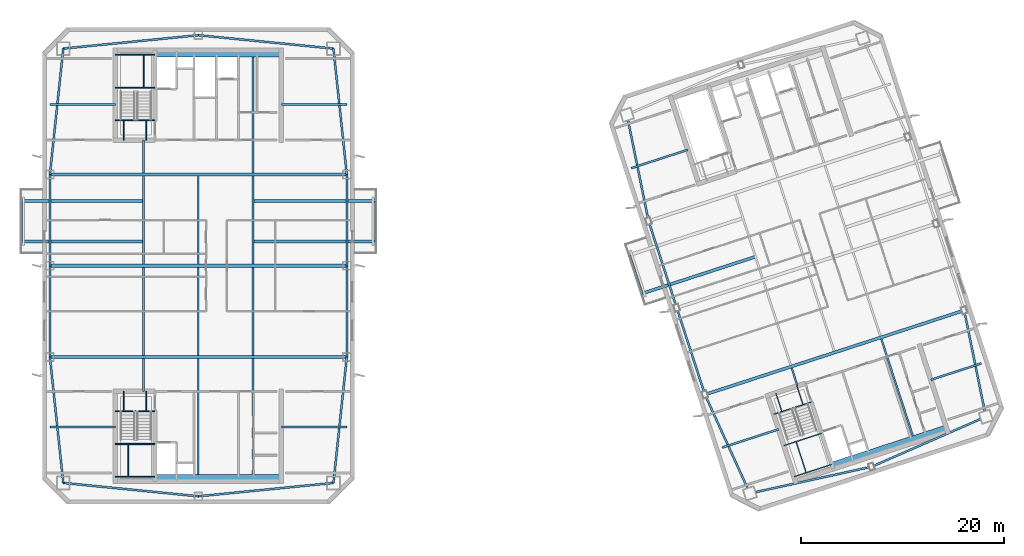
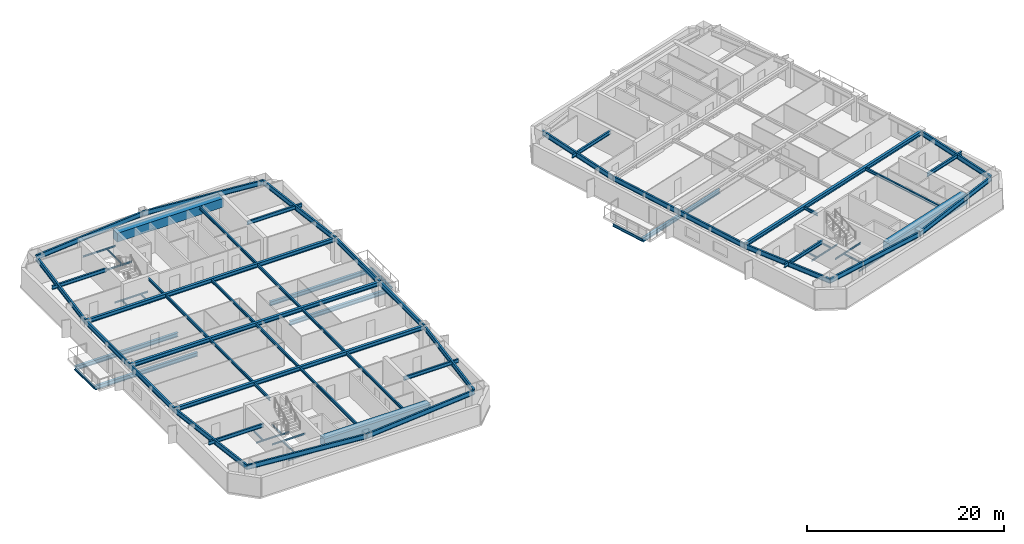
# One storey, part 3 of 17: 72 beams.
"""IFC4 building model written with IfcOpenShell, lengths in metres."""

from ifc_helpers import new_model, si_unit, direction, frame, origin, origin_2d, place, context, subcontext, project, spatial, rectangle, i_section, extrude, material, material_profile, profile_set, type_object, element, save


model = new_model("IFC4")

# Units and contexts
model_context = context("Model", 3, precision=1e-05, world=origin(), true_north=direction((0.0, 1.0)))
body_context = subcontext(model_context, "Body", "Model", "MODEL_VIEW")
ifc_project = project(units=[si_unit("LENGTHUNIT", "METRE"), si_unit("AREAUNIT", "SQUARE_METRE"), si_unit("VOLUMEUNIT", "CUBIC_METRE"), si_unit("PLANEANGLEUNIT", "RADIAN"), si_unit("MASSUNIT", "GRAM", prefix="KILO")], contexts=[model_context])

# Site, building, storey
site_placement = place(None, origin())
site = spatial("IfcSite", under=ifc_project, at=site_placement, CompositionType="ELEMENT")
building_placement = place(site_placement, origin())
building = spatial("IfcBuilding", under=site, at=building_placement, Name="Qiaolan Cultural Towers", CompositionType="ELEMENT")
storey_placement = place(building_placement, frame((0.0, 0.0, 247.199951171875)))
storey = spatial("IfcBuildingStorey", under=building, at=storey_placement, Name="L67", CompositionType="ELEMENT", Elevation=247.199951171875)

# Beams
ifc_material_1 = material(Name="Steel Q355B", Category="steel")
ifc_material_profile_1 = material_profile(ifc_material_1, i_section(OverallWidth=0.300048828125, OverallDepth=0.488037109375, WebThickness=0.010986328125, FlangeThickness=0.01806640625, at=origin_2d()), Name="HM488x300x11x18")
ifc_profile_set_1 = profile_set([ifc_material_profile_1], Name="Steel Q355B")
beam_type_1 = type_object("IfcBeamType", Name="BM-HM488x300x11x18", PredefinedType="BEAM", material=ifc_profile_set_1)
for number, where, z_axis, x_axis, name in (
    (1, (24.60009765625, 36.39990234375, -0.52392578125), (-1.0, 0.0, 0.0), (0.0, -1.0, 0.0), "L67 T1 Tree Balcony Back-Spanned Bracket Beam"),
    (2, (24.60009765625, 40.39990234375, -0.52392578125), (-1.0, 0.0, 0.0), (0.0, -1.0, 0.0), "L67 T1 Tree Balcony Back-Spanned Bracket Beam"),
    (3, (35.39990234375, 36.39990234375, -0.52392578125), (1.0, 0.0, 0.0), (0.0, 1.0, 0.0), "L67 T1 Tree Balcony Back-Spanned Bracket Beam"),
    (4, (35.39990234375, 40.39990234375, -0.52392578125), (1.0, 0.0, 0.0), (0.0, 1.0, 0.0), "L67 T1 Tree Balcony Back-Spanned Bracket Beam"),
):
    element("IfcBeam", number, at=place(storey_placement, frame(where, z_axis=z_axis, x_axis=x_axis)), inside=storey, type_object=beam_type_1, Name=name, PredefinedType="BEAM", context=body_context, shape_type="SweptSolid", body=[
        extrude(i_section(OverallWidth=0.300048828125, OverallDepth=0.488037109375, WebThickness=0.010986328125, FlangeThickness=0.01806640625, at=origin_2d()), origin(), (0.0, 0.0, 1.0), 12.050048828125),
    ])
beam_1_placement = place(storey_placement, frame((84.978515625, 34.891845703125, -0.52392578125), z_axis=(-0.951057886204, -0.309012778197, 0.0), x_axis=(0.309012778197, -0.951057886204, 0.0)))
element("IfcBeam", 5, at=beam_1_placement, inside=storey, type_object=beam_type_1, Name="L67 T2 Tree Balcony Back-Spanned Bracket Beam", PredefinedType="BEAM", context=body_context, shape_type="SweptSolid", body=[
    extrude(i_section(OverallWidth=0.300048828125, OverallDepth=0.488037109375, WebThickness=0.010986328125, FlangeThickness=0.01806640625, at=origin_2d()), origin(), (0.0, 0.0, 1.0), 11.749755859375),
])
for number, where, z_axis, x_axis, name in (
    (6, (15.35009765625, 25.0, 2.696044921875), (1.0, 0.0, 0.0), (0.0, 1.0, 0.0), "L67 T1 Primary Transverse Girder V1"),
    (7, (15.35009765625, 34.0, 2.696044921875), (1.0, 0.0, 0.0), (0.0, 1.0, 0.0), "L67 T1 Primary Transverse Girder V2"),
    (8, (15.35009765625, 43.0, 2.696044921875), (1.0, 0.0, 0.0), (0.0, 1.0, 0.0), "L67 T1 Primary Transverse Girder V3"),
):
    element("IfcBeam", number, at=place(storey_placement, frame(where, z_axis=z_axis, x_axis=x_axis)), inside=storey, type_object=beam_type_1, Name=name, PredefinedType="BEAM", context=body_context, shape_type="SweptSolid", body=[
        extrude(i_section(OverallWidth=0.300048828125, OverallDepth=0.488037109375, WebThickness=0.010986328125, FlangeThickness=0.01806640625, at=origin_2d()), origin(), (0.0, 0.0, 1.0), 29.2998046875),
    ])
beam_2_placement = place(storey_placement, frame((79.989501953125, 21.2841796875, 2.696044921875), z_axis=(0.951056543098, 0.309016911884, 0.0), x_axis=(-0.309016911884, 0.951056543098, 0.0)))
element("IfcBeam", 9, at=beam_2_placement, inside=storey, type_object=beam_type_1, Name="L67 T2 Primary Transverse Girder V1", PredefinedType="BEAM", context=body_context, shape_type="SweptSolid", body=[
    extrude(i_section(OverallWidth=0.300048828125, OverallDepth=0.488037109375, WebThickness=0.010986328125, FlangeThickness=0.01806640625, at=origin_2d()), origin(), (0.0, 0.0, 1.0), 26.89990234375),
])
ifc_material_2 = material(Name="Steel Q355B", Category="steel")
ifc_material_profile_2 = material_profile(ifc_material_2, i_section(OverallWidth=0.175048828125, OverallDepth=0.35009765625, WebThickness=0.007080078125, FlangeThickness=0.010986328125, at=origin_2d()), Name="HN350x175x7x11")
ifc_profile_set_2 = profile_set([ifc_material_profile_2], Name="Steel Q355B")
beam_type_2 = type_object("IfcBeamType", Name="BM-JST-HN350x175x7x11", PredefinedType="JOIST", material=ifc_profile_set_2)
for number, where, z_axis, x_axis, name in (
    (10, (12.550048828125, 36.39990234375, -0.52392578125), (0.0, 1.0, 0.0), (-1.0, 0.0, 0.0), "L67 T1 Tree Balcony Outer Edge Beam"),
    (11, (47.449951171875, 36.39990234375, -0.52392578125), (0.0, 1.0, 0.0), (-1.0, 0.0, 0.0), "L67 T1 Tree Balcony Outer Edge Beam"),
    (12, (73.8037109375, 31.260986328125, -0.52392578125), (-0.309022586479, 0.951054699292, 0.0), (-0.951054699292, -0.309022586479, 0.0), "L67 T2 Tree Balcony Outer Edge Beam"),
):
    element("IfcBeam", number, at=place(storey_placement, frame(where, z_axis=z_axis, x_axis=x_axis)), inside=storey, type_object=beam_type_2, Name=name, PredefinedType="JOIST", context=body_context, shape_type="SweptSolid", body=[
        extrude(i_section(OverallWidth=0.175048828125, OverallDepth=0.35009765625, WebThickness=0.007080078125, FlangeThickness=0.010986328125, at=origin_2d()), origin(), (0.0, 0.0, 1.0), 4.0),
    ])
beam_3_placement = place(storey_placement, frame((24.60009765625, 21.60009765625, 2.76513671875), z_axis=(0.0, 1.0, 0.0), x_axis=(-1.0, 0.0, 0.0)))
element("IfcBeam", 13, at=beam_3_placement, inside=storey, type_object=beam_type_2, Name="L67 T1 Secondary Floor Joist U1-1", PredefinedType="JOIST", context=body_context, shape_type="SweptSolid", body=[
    extrude(i_section(OverallWidth=0.175048828125, OverallDepth=0.35009765625, WebThickness=0.007080078125, FlangeThickness=0.010986328125, at=origin_2d()), origin(), (0.0, 0.0, 1.0), 3.25),
])
for number, where, z_axis, x_axis, name in (
    (14, (24.60009765625, 25.14990234375, 2.76513671875), (0.0, 1.0, 0.0), (-1.0, 0.0, 0.0), "L67 T1 Secondary Floor Joist U1-2"),
    (15, (24.60009765625, 34.14990234375, 2.76513671875), (0.0, 1.0, 0.0), (-1.0, 0.0, 0.0), "L67 T1 Secondary Floor Joist U1-3"),
):
    element("IfcBeam", number, at=place(storey_placement, frame(where, z_axis=z_axis, x_axis=x_axis)), inside=storey, type_object=beam_type_2, Name=name, PredefinedType="JOIST", context=body_context, shape_type="SweptSolid", body=[
        extrude(i_section(OverallWidth=0.175048828125, OverallDepth=0.35009765625, WebThickness=0.007080078125, FlangeThickness=0.010986328125, at=origin_2d()), origin(), (0.0, 0.0, 1.0), 8.7001953125),
    ])
beam_4_placement = place(storey_placement, frame((24.60009765625, 43.14990234375, 2.76513671875), z_axis=(0.0, 1.0, 0.0), x_axis=(-1.0, 0.0, 0.0)))
element("IfcBeam", 16, at=beam_4_placement, inside=storey, type_object=beam_type_2, Name="L67 T1 Secondary Floor Joist U1-4", PredefinedType="JOIST", context=body_context, shape_type="SweptSolid", body=[
    extrude(i_section(OverallWidth=0.175048828125, OverallDepth=0.35009765625, WebThickness=0.007080078125, FlangeThickness=0.010986328125, at=origin_2d()), origin(), (0.0, 0.0, 1.0), 3.25),
])
beam_5_placement = place(storey_placement, frame((30.0, 13.39990234375, 2.76513671875), z_axis=(0.0, 1.0, 0.0), x_axis=(-1.0, 0.0, 0.0)))
element("IfcBeam", 17, at=beam_5_placement, inside=storey, type_object=beam_type_2, Name="L67 T1 Secondary Floor Joist U2-1", PredefinedType="JOIST", context=body_context, shape_type="SweptSolid", body=[
    extrude(i_section(OverallWidth=0.175048828125, OverallDepth=0.35009765625, WebThickness=0.007080078125, FlangeThickness=0.010986328125, at=origin_2d()), origin(), (0.0, 0.0, 1.0), 11.4501953125),
])
for number, where, z_axis, x_axis, name in (
    (18, (30.0, 25.14990234375, 2.76513671875), (0.0, 1.0, 0.0), (-1.0, 0.0, 0.0), "L67 T1 Secondary Floor Joist U2-2"),
    (19, (30.0, 34.14990234375, 2.76513671875), (0.0, 1.0, 0.0), (-1.0, 0.0, 0.0), "L67 T1 Secondary Floor Joist U2-3"),
):
    element("IfcBeam", number, at=place(storey_placement, frame(where, z_axis=z_axis, x_axis=x_axis)), inside=storey, type_object=beam_type_2, Name=name, PredefinedType="JOIST", context=body_context, shape_type="SweptSolid", body=[
        extrude(i_section(OverallWidth=0.175048828125, OverallDepth=0.35009765625, WebThickness=0.007080078125, FlangeThickness=0.010986328125, at=origin_2d()), origin(), (0.0, 0.0, 1.0), 8.7001953125),
    ])
beam_6_placement = place(storey_placement, frame((35.39990234375, 13.39990234375, 2.76513671875), z_axis=(0.0, 1.0, 0.0), x_axis=(-1.0, 0.0, 0.0)))
element("IfcBeam", 20, at=beam_6_placement, inside=storey, type_object=beam_type_2, Name="L67 T1 Secondary Floor Joist U3-1", PredefinedType="JOIST", context=body_context, shape_type="SweptSolid", body=[
    extrude(i_section(OverallWidth=0.175048828125, OverallDepth=0.35009765625, WebThickness=0.007080078125, FlangeThickness=0.010986328125, at=origin_2d()), origin(), (0.0, 0.0, 1.0), 11.4501953125),
])
for number, where, z_axis, x_axis, name in (
    (21, (35.39990234375, 25.14990234375, 2.76513671875), (0.0, 1.0, 0.0), (-1.0, 0.0, 0.0), "L67 T1 Secondary Floor Joist U3-2"),
    (22, (35.39990234375, 34.14990234375, 2.76513671875), (0.0, 1.0, 0.0), (-1.0, 0.0, 0.0), "L67 T1 Secondary Floor Joist U3-3"),
):
    element("IfcBeam", number, at=place(storey_placement, frame(where, z_axis=z_axis, x_axis=x_axis)), inside=storey, type_object=beam_type_2, Name=name, PredefinedType="JOIST", context=body_context, shape_type="SweptSolid", body=[
        extrude(i_section(OverallWidth=0.175048828125, OverallDepth=0.35009765625, WebThickness=0.007080078125, FlangeThickness=0.010986328125, at=origin_2d()), origin(), (0.0, 0.0, 1.0), 8.7001953125),
    ])
beam_7_placement = place(storey_placement, frame((35.39990234375, 43.14990234375, 2.76513671875), z_axis=(0.0, 1.0, 0.0), x_axis=(-1.0, 0.0, 0.0)))
element("IfcBeam", 23, at=beam_7_placement, inside=storey, type_object=beam_type_2, Name="L67 T1 Secondary Floor Joist U3-4", PredefinedType="JOIST", context=body_context, shape_type="SweptSolid", body=[
    extrude(i_section(OverallWidth=0.175048828125, OverallDepth=0.35009765625, WebThickness=0.007080078125, FlangeThickness=0.010986328125, at=origin_2d()), origin(), (0.0, 0.0, 1.0), 11.4501953125),
])
beam_8_placement = place(storey_placement, frame((89.119384765625, 22.147705078125, 2.76513671875), z_axis=(-0.308933885266, 0.951083516067, 0.0), x_axis=(-0.951083516067, -0.308933885266, 0.0)))
element("IfcBeam", 24, at=beam_8_placement, inside=storey, type_object=beam_type_2, Name="L67 T2 Secondary Floor Joist U1-1", PredefinedType="JOIST", context=body_context, shape_type="SweptSolid", body=[
    extrude(i_section(OverallWidth=0.175048828125, OverallDepth=0.35009765625, WebThickness=0.007080078125, FlangeThickness=0.010986328125, at=origin_2d()), origin(), (0.0, 0.0, 1.0), 1.85009765625),
])
beam_9_placement = place(storey_placement, frame((100.498291015625, 17.222900390625, 2.76513671875), z_axis=(-0.309025649293, 0.951053704098, 0.0), x_axis=(-0.951053704098, -0.309025649293, 0.0)))
element("IfcBeam", 25, at=beam_9_placement, inside=storey, type_object=beam_type_2, Name="L67 T2 Secondary Floor Joist U3-1", PredefinedType="JOIST", context=body_context, shape_type="SweptSolid", body=[
    extrude(i_section(OverallWidth=0.175048828125, OverallDepth=0.35009765625, WebThickness=0.007080078125, FlangeThickness=0.010986328125, at=origin_2d()), origin(), (0.0, 0.0, 1.0), 10.050048828125),
])
ifc_material_3 = material(Name="Steel Q355B", Category="steel")
ifc_material_profile_3 = material_profile(ifc_material_3, i_section(OverallWidth=0.199951171875, OverallDepth=0.449951171875, WebThickness=0.009033203125, FlangeThickness=0.013916015625, at=origin_2d()), Name="HN450x200x9x14")
ifc_profile_set_3 = profile_set([ifc_material_profile_3], Name="Steel Q355B")
beam_type_3 = type_object("IfcBeamType", Name="BM-LNT-HN450x200x9x14", PredefinedType="LINTEL", material=ifc_profile_set_3)
for number, where, z_axis, x_axis, name in (
    (26, (21.800048828125, 18.10009765625, 2.715087890625), (-1.0, 0.0, 0.0), (0.0, -1.0, 0.0), "L67 T1 Core Flank Tie Lintel WS"),
    (27, (21.800048828125, 49.89990234375, 2.715087890625), (-1.0, 0.0, 0.0), (0.0, -1.0, 0.0), "L67 T1 Core Flank Tie Lintel WN"),
    (28, (38.199951171875, 18.10009765625, 2.715087890625), (1.0, 0.0, 0.0), (0.0, 1.0, 0.0), "L67 T1 Core Flank Tie Lintel ES"),
    (29, (38.199951171875, 49.89990234375, 2.715087890625), (1.0, 0.0, 0.0), (0.0, 1.0, 0.0), "L67 T1 Core Flank Tie Lintel EN"),
):
    element("IfcBeam", number, at=place(storey_placement, frame(where, z_axis=z_axis, x_axis=x_axis)), inside=storey, type_object=beam_type_3, Name=name, PredefinedType="LINTEL", context=body_context, shape_type="SweptSolid", body=[
        extrude(i_section(OverallWidth=0.199951171875, OverallDepth=0.449951171875, WebThickness=0.009033203125, FlangeThickness=0.013916015625, at=origin_2d()), origin(), (0.0, 0.0, 1.0), 6.449951171875),
    ])
for number, where, z_axis, x_axis, name in (
    (30, (87.252685546875, 17.861083984375, 2.715087890625), (-0.951063813276, -0.308994535675, 0.0), (0.308994535675, -0.951063813276, 0.0), "L67 T2 Core Flank Tie Lintel WS"),
    (31, (78.291259765625, 45.44189453125, 2.715087890625), (-0.951051548326, -0.309032283793, 0.0), (0.309032283793, -0.951051548326, 0.0), "L67 T2 Core Flank Tie Lintel WN"),
):
    element("IfcBeam", number, at=place(storey_placement, frame(where, z_axis=z_axis, x_axis=x_axis)), inside=storey, type_object=beam_type_3, Name=name, PredefinedType="LINTEL", context=body_context, shape_type="SweptSolid", body=[
        extrude(i_section(OverallWidth=0.199951171875, OverallDepth=0.449951171875, WebThickness=0.009033203125, FlangeThickness=0.013916015625, at=origin_2d()), origin(), (0.0, 0.0, 1.0), 5.85009765625),
    ])
beam_10_placement = place(storey_placement, frame((102.279296875, 22.74365234375, 2.715087890625), z_axis=(0.951060037126, 0.309006158161, 0.0), x_axis=(-0.309006158161, 0.951060037126, 0.0)))
element("IfcBeam", 32, at=beam_10_placement, inside=storey, type_object=beam_type_3, Name="L67 T2 Core Flank Tie Lintel ES", PredefinedType="LINTEL", context=body_context, shape_type="SweptSolid", body=[
    extrude(i_section(OverallWidth=0.199951171875, OverallDepth=0.449951171875, WebThickness=0.009033203125, FlangeThickness=0.013916015625, at=origin_2d()), origin(), (0.0, 0.0, 1.0), 5.25),
])
ifc_material_4 = material(Name="Concrete C50", Category="concrete")
ifc_material_profile_4 = material_profile(ifc_material_4, rectangle(XDim=0.89990234375, YDim=1.10009765625, at=origin_2d()), Name="RC900x1100")
ifc_profile_set_4 = profile_set([ifc_material_profile_4], Name="Concrete C50")
beam_type_4 = type_object("IfcBeamType", Name="BM-RC900x1100", PredefinedType="BEAM", material=ifc_profile_set_4)
for number, where, z_axis, x_axis, name in (
    (33, (25.719970703125, 12.949951171875, 2.39013671875), (1.0, 0.0, 0.0), (0.0, 1.0, 0.0), "L67 T1 Core Header Girder S"),
    (34, (25.719970703125, 55.050048828125, 2.39013671875), (1.0, 0.0, 0.0), (0.0, 1.0, 0.0), "L67 T1 Core Header Girder N"),
):
    element("IfcBeam", number, at=place(storey_placement, frame(where, z_axis=z_axis, x_axis=x_axis)), inside=storey, type_object=beam_type_4, Name=name, PredefinedType="BEAM", context=body_context, shape_type="SweptSolid", body=[
        extrude(rectangle(XDim=0.89990234375, YDim=1.10009765625, at=origin_2d()), origin(), (0.0, 0.0, 1.0), 12.47998046875),
    ])
beam_11_placement = place(storey_placement, frame((92.572265625, 14.174560546875, 2.39013671875), z_axis=(0.951056266386, 0.309017763514, 0.0), x_axis=(-0.309017763514, 0.951056266386, 0.0)))
element("IfcBeam", 35, at=beam_11_placement, inside=storey, type_object=beam_type_4, Name="L67 T2 Core Header Girder S", PredefinedType="BEAM", context=body_context, shape_type="SweptSolid", body=[
    extrude(rectangle(XDim=0.89990234375, YDim=1.10009765625, at=origin_2d()), origin(), (0.0, 0.0, 1.0), 11.880126953125),
])
ifc_material_5 = material(Name="Steel Q355B", Category="steel")
ifc_material_profile_5 = material_profile(ifc_material_5, i_section(OverallWidth=0.199951171875, OverallDepth=0.60009765625, WebThickness=0.010986328125, FlangeThickness=0.01708984375, at=origin_2d()), Name="HN600x200x11x17")
ifc_profile_set_5 = profile_set([ifc_material_profile_5], Name="Steel Q355B")
beam_type_5 = type_object("IfcBeamType", Name="BM-SPD-HN600x200x11x17", PredefinedType="SPANDREL", material=ifc_profile_set_5)
for number, where, z_axis, x_axis, name in (
    (36, (16.669921875, 12.570068359375, 2.64013671875), (0.995132371263, -0.098547266143, 0.0), (0.098547266143, 0.995132371263, 0.0), "L67 T1 Perimeter Spandrel Beam 1"),
    (37, (30.0, 11.25, 2.64013671875), (0.995132371263, 0.098547266143, 0.0), (-0.098547266143, 0.995132371263, 0.0), "L67 T1 Perimeter Spandrel Beam 2"),
):
    element("IfcBeam", number, at=place(storey_placement, frame(where, z_axis=z_axis, x_axis=x_axis)), inside=storey, type_object=beam_type_5, Name=name, PredefinedType="SPANDREL", context=body_context, shape_type="SweptSolid", body=[
        extrude(i_section(OverallWidth=0.199951171875, OverallDepth=0.60009765625, WebThickness=0.010986328125, FlangeThickness=0.01708984375, at=origin_2d()), origin(), (0.0, 0.0, 1.0), 13.395263671875),
    ])
beam_12_placement = place(storey_placement, frame((43.330078125, 12.570068359375, 2.64013671875), z_axis=(0.105587580773, 0.994410007384, 0.0), x_axis=(-0.994410007384, 0.105587580773, 0.0)))
element("IfcBeam", 38, at=beam_12_placement, inside=storey, type_object=beam_type_5, Name="L67 T1 Perimeter Spandrel Beam 3", PredefinedType="SPANDREL", context=body_context, shape_type="SweptSolid", body=[
    extrude(i_section(OverallWidth=0.199951171875, OverallDepth=0.60009765625, WebThickness=0.010986328125, FlangeThickness=0.01708984375, at=origin_2d()), origin(), (0.0, 0.0, 1.0), 12.499755859375),
])
for number, where, z_axis, x_axis, name in (
    (39, (44.64990234375, 25.0, 2.64013671875), (0.0, 1.0, 0.0), (-1.0, 0.0, 0.0), "L67 T1 Perimeter Spandrel Beam 4"),
    (40, (44.64990234375, 34.0, 2.64013671875), (0.0, 1.0, 0.0), (-1.0, 0.0, 0.0), "L67 T1 Perimeter Spandrel Beam 5"),
):
    element("IfcBeam", number, at=place(storey_placement, frame(where, z_axis=z_axis, x_axis=x_axis)), inside=storey, type_object=beam_type_5, Name=name, PredefinedType="SPANDREL", context=body_context, shape_type="SweptSolid", body=[
        extrude(i_section(OverallWidth=0.199951171875, OverallDepth=0.60009765625, WebThickness=0.010986328125, FlangeThickness=0.01708984375, at=origin_2d()), origin(), (0.0, 0.0, 1.0), 9.0),
    ])
beam_13_placement = place(storey_placement, frame((44.64990234375, 43.0, 2.64013671875), z_axis=(-0.105587580773, 0.994410007384, 0.0), x_axis=(-0.994410007384, -0.105587580773, 0.0)))
element("IfcBeam", 41, at=beam_13_placement, inside=storey, type_object=beam_type_5, Name="L67 T1 Perimeter Spandrel Beam 6", PredefinedType="SPANDREL", context=body_context, shape_type="SweptSolid", body=[
    extrude(i_section(OverallWidth=0.199951171875, OverallDepth=0.60009765625, WebThickness=0.010986328125, FlangeThickness=0.01708984375, at=origin_2d()), origin(), (0.0, 0.0, 1.0), 12.499755859375),
])
for number, where, z_axis, x_axis, name in (
    (42, (43.330078125, 55.429931640625, 2.64013671875), (-0.995132371263, 0.098547266143, 0.0), (-0.098547266143, -0.995132371263, 0.0), "L67 T1 Perimeter Spandrel Beam 7"),
    (43, (30.0, 56.75, 2.64013671875), (-0.995132371263, -0.098547266143, 0.0), (0.098547266143, -0.995132371263, 0.0), "L67 T1 Perimeter Spandrel Beam 8"),
):
    element("IfcBeam", number, at=place(storey_placement, frame(where, z_axis=z_axis, x_axis=x_axis)), inside=storey, type_object=beam_type_5, Name=name, PredefinedType="SPANDREL", context=body_context, shape_type="SweptSolid", body=[
        extrude(i_section(OverallWidth=0.199951171875, OverallDepth=0.60009765625, WebThickness=0.010986328125, FlangeThickness=0.01708984375, at=origin_2d()), origin(), (0.0, 0.0, 1.0), 13.395263671875),
    ])
beam_14_placement = place(storey_placement, frame((16.669921875, 55.429931640625, 2.64013671875), z_axis=(-0.105587580773, -0.994410007384, 0.0), x_axis=(0.994410007384, -0.105587580773, 0.0)))
element("IfcBeam", 44, at=beam_14_placement, inside=storey, type_object=beam_type_5, Name="L67 T1 Perimeter Spandrel Beam 9", PredefinedType="SPANDREL", context=body_context, shape_type="SweptSolid", body=[
    extrude(i_section(OverallWidth=0.199951171875, OverallDepth=0.60009765625, WebThickness=0.010986328125, FlangeThickness=0.01708984375, at=origin_2d()), origin(), (0.0, 0.0, 1.0), 12.499755859375),
])
for number, where, z_axis, x_axis, name in (
    (45, (15.35009765625, 43.0, 2.64013671875), (0.0, -1.0, 0.0), (1.0, 0.0, 0.0), "L67 T1 Perimeter Spandrel Beam 10"),
    (46, (15.35009765625, 34.0, 2.64013671875), (0.0, -1.0, 0.0), (1.0, 0.0, 0.0), "L67 T1 Perimeter Spandrel Beam 11"),
):
    element("IfcBeam", number, at=place(storey_placement, frame(where, z_axis=z_axis, x_axis=x_axis)), inside=storey, type_object=beam_type_5, Name=name, PredefinedType="SPANDREL", context=body_context, shape_type="SweptSolid", body=[
        extrude(i_section(OverallWidth=0.199951171875, OverallDepth=0.60009765625, WebThickness=0.010986328125, FlangeThickness=0.01708984375, at=origin_2d()), origin(), (0.0, 0.0, 1.0), 9.0),
    ])
beam_15_placement = place(storey_placement, frame((15.35009765625, 25.0, 2.64013671875), z_axis=(0.105587580773, -0.994410007384, 0.0), x_axis=(0.994410007384, 0.105587580773, 0.0)))
element("IfcBeam", 47, at=beam_15_placement, inside=storey, type_object=beam_type_5, Name="L67 T1 Perimeter Spandrel Beam 12", PredefinedType="SPANDREL", context=body_context, shape_type="SweptSolid", body=[
    extrude(i_section(OverallWidth=0.199951171875, OverallDepth=0.60009765625, WebThickness=0.010986328125, FlangeThickness=0.01708984375, at=origin_2d()), origin(), (0.0, 0.0, 1.0), 12.499755859375),
])
beam_16_placement = place(storey_placement, frame((84.42822265625, 11.538818359375, 2.64013671875), z_axis=(0.976843395078, 0.213955559619, 0.0), x_axis=(-0.213955559619, 0.976843395078, 0.0)))
element("IfcBeam", 48, at=beam_16_placement, inside=storey, type_object=beam_type_5, Name="L67 T2 Perimeter Spandrel Beam 1", PredefinedType="SPANDREL", context=body_context, shape_type="SweptSolid", body=[
    extrude(i_section(OverallWidth=0.199951171875, OverallDepth=0.60009765625, WebThickness=0.010986328125, FlangeThickness=0.01708984375, at=origin_2d()), origin(), (0.0, 0.0, 1.0), 12.2998046875),
])
beam_17_placement = place(storey_placement, frame((96.443115234375, 14.17041015625, 2.64013671875), z_axis=(0.916042038824, 0.401082264762, 0.0), x_axis=(-0.401082264762, 0.916042038824, 0.0)))
element("IfcBeam", 49, at=beam_17_placement, inside=storey, type_object=beam_type_5, Name="L67 T2 Perimeter Spandrel Beam 2", PredefinedType="SPANDREL", context=body_context, shape_type="SweptSolid", body=[
    extrude(i_section(OverallWidth=0.199951171875, OverallDepth=0.60009765625, WebThickness=0.010986328125, FlangeThickness=0.01708984375, at=origin_2d()), origin(), (0.0, 0.0, 1.0), 12.299560546875),
])
for number, where, z_axis, x_axis, name in (
    (50, (107.7099609375, 19.103515625, 2.64013671875), (-0.199578538116, 0.979881833245, 0.0), (-0.979881833245, -0.199578538116, 0.0), "L67 T2 Perimeter Spandrel Beam 3"),
    (51, (72.2900390625, 48.896484375, 2.64013671875), (0.199578538116, -0.979881833245, 0.0), (0.979881833245, 0.199578538116, 0.0), "L67 T2 Perimeter Spandrel Beam 9"),
):
    element("IfcBeam", number, at=place(storey_placement, frame(where, z_axis=z_axis, x_axis=x_axis)), inside=storey, type_object=beam_type_5, Name=name, PredefinedType="SPANDREL", context=body_context, shape_type="SweptSolid", body=[
        extrude(i_section(OverallWidth=0.199951171875, OverallDepth=0.60009765625, WebThickness=0.010986328125, FlangeThickness=0.01708984375, at=origin_2d()), origin(), (0.0, 0.0, 1.0), 10.70849609375),
    ])
for number, where, z_axis, x_axis, name in (
    (52, (74.42724609375, 38.4033203125, 2.64013671875), (0.309000197986, -0.951061973609, 0.0), (0.951061973609, 0.309000197986, 0.0), "L67 T2 Perimeter Spandrel Beam 10"),
    (53, (77.208251953125, 29.84375, 2.64013671875), (0.309024734286, -0.951054001411, 0.0), (0.951054001411, 0.309024734286, 0.0), "L67 T2 Perimeter Spandrel Beam 11"),
):
    element("IfcBeam", number, at=place(storey_placement, frame(where, z_axis=z_axis, x_axis=x_axis)), inside=storey, type_object=beam_type_5, Name=name, PredefinedType="SPANDREL", context=body_context, shape_type="SweptSolid", body=[
        extrude(i_section(OverallWidth=0.199951171875, OverallDepth=0.60009765625, WebThickness=0.010986328125, FlangeThickness=0.01708984375, at=origin_2d()), origin(), (0.0, 0.0, 1.0), 9.0),
    ])
beam_18_placement = place(storey_placement, frame((79.989501953125, 21.2841796875, 2.64013671875), z_axis=(0.414500208282, -0.910049216985, 0.0), x_axis=(0.910049216985, 0.414500208282, 0.0)))
element("IfcBeam", 54, at=beam_18_placement, inside=storey, type_object=beam_type_5, Name="L67 T2 Perimeter Spandrel Beam 12", PredefinedType="SPANDREL", context=body_context, shape_type="SweptSolid", body=[
    extrude(i_section(OverallWidth=0.199951171875, OverallDepth=0.60009765625, WebThickness=0.010986328125, FlangeThickness=0.01708984375, at=origin_2d()), origin(), (0.0, 0.0, 1.0), 10.70849609375),
])
ifc_material_6 = material(Name="Steel Q355B", Category="steel")
ifc_material_profile_6 = material_profile(ifc_material_6, i_section(OverallWidth=0.10009765625, OverallDepth=0.199951171875, WebThickness=0.005615234375, FlangeThickness=0.008056640625, at=origin_2d()), Name="HN200x100x5.5x8")
ifc_profile_set_6 = profile_set([ifc_material_profile_6], Name="Steel Q355B")
beam_type_6 = type_object("IfcBeamType", Name="BM-STTRIM-200", PredefinedType="BEAM", material=ifc_profile_set_6)
beam_19_placement = place(storey_placement, frame((21.800048828125, 19.659912109375, -0.4599609375), z_axis=(1.0, 0.0, 0.0), x_axis=(0.0, 1.0, 0.0)))
element("IfcBeam", 55, at=beam_19_placement, inside=storey, type_object=beam_type_6, Name="L67 ST-W1 Floor Landing Header Beam", PredefinedType="BEAM", context=body_context, shape_type="SweptSolid", body=[
    extrude(i_section(OverallWidth=0.10009765625, OverallDepth=0.199951171875, WebThickness=0.005615234375, FlangeThickness=0.008056640625, at=origin_2d()), origin(), (0.0, 0.0, 1.0), 3.919921875),
])
for number, where, z_axis, x_axis, name in (
    (56, (22.64990234375, 21.60009765625, -0.4599609375), (0.0, -1.0, 0.0), (1.0, 0.0, 0.0), "L67 ST-W1 Floor Landing Stringer 1"),
    (57, (24.85009765625, 21.60009765625, -0.4599609375), (0.0, -1.0, 0.0), (1.0, 0.0, 0.0), "L67 ST-W1 Floor Landing Stringer 2"),
):
    element("IfcBeam", number, at=place(storey_placement, frame(where, z_axis=z_axis, x_axis=x_axis)), inside=storey, type_object=beam_type_6, Name=name, PredefinedType="BEAM", context=body_context, shape_type="SweptSolid", body=[
        extrude(i_section(OverallWidth=0.10009765625, OverallDepth=0.199951171875, WebThickness=0.005615234375, FlangeThickness=0.008056640625, at=origin_2d()), origin(), (0.0, 0.0, 1.0), 1.940185546875),
    ])
for number, where, z_axis, x_axis, name in (
    (58, (21.800048828125, 16.411376953125, 1.300048828125), (1.0, 0.0, 0.0), (0.0, 1.0, 0.0), "L67 ST-W1 Stair Landing Support Beam 1-1"),
    (59, (21.800048828125, 13.179931640625, 1.300048828125), (1.0, 0.0, 0.0), (0.0, 1.0, 0.0), "L67 ST-W1 Stair Landing Support Beam 1-2"),
):
    element("IfcBeam", number, at=place(storey_placement, frame(where, z_axis=z_axis, x_axis=x_axis)), inside=storey, type_object=beam_type_6, Name=name, PredefinedType="BEAM", context=body_context, shape_type="SweptSolid", body=[
        extrude(i_section(OverallWidth=0.10009765625, OverallDepth=0.199951171875, WebThickness=0.005615234375, FlangeThickness=0.008056640625, at=origin_2d()), origin(), (0.0, 0.0, 1.0), 3.919921875),
    ])
beam_20_placement = place(storey_placement, frame((23.070068359375, 16.411376953125, 1.300048828125), z_axis=(0.0, -1.0, 0.0), x_axis=(1.0, 0.0, 0.0)))
element("IfcBeam", 60, at=beam_20_placement, inside=storey, type_object=beam_type_6, Name="L67 ST-W1 Stair Landing Trimmer 1", PredefinedType="BEAM", context=body_context, shape_type="SweptSolid", body=[
    extrude(i_section(OverallWidth=0.10009765625, OverallDepth=0.199951171875, WebThickness=0.005615234375, FlangeThickness=0.008056640625, at=origin_2d()), origin(), (0.0, 0.0, 1.0), 3.2314453125),
])
beam_21_placement = place(storey_placement, frame((21.800048828125, 48.340087890625, -0.4599609375), z_axis=(1.0, 0.0, 0.0), x_axis=(0.0, 1.0, 0.0)))
element("IfcBeam", 61, at=beam_21_placement, inside=storey, type_object=beam_type_6, Name="L67 ST-W2 Floor Landing Header Beam", PredefinedType="BEAM", context=body_context, shape_type="SweptSolid", body=[
    extrude(i_section(OverallWidth=0.10009765625, OverallDepth=0.199951171875, WebThickness=0.005615234375, FlangeThickness=0.008056640625, at=origin_2d()), origin(), (0.0, 0.0, 1.0), 3.919921875),
])
for number, where, z_axis, x_axis, name in (
    (62, (22.64990234375, 46.39990234375, -0.4599609375), (0.0, 1.0, 0.0), (-1.0, 0.0, 0.0), "L67 ST-W2 Floor Landing Stringer 1"),
    (63, (24.85009765625, 46.39990234375, -0.4599609375), (0.0, 1.0, 0.0), (-1.0, 0.0, 0.0), "L67 ST-W2 Floor Landing Stringer 2"),
):
    element("IfcBeam", number, at=place(storey_placement, frame(where, z_axis=z_axis, x_axis=x_axis)), inside=storey, type_object=beam_type_6, Name=name, PredefinedType="BEAM", context=body_context, shape_type="SweptSolid", body=[
        extrude(i_section(OverallWidth=0.10009765625, OverallDepth=0.199951171875, WebThickness=0.005615234375, FlangeThickness=0.008056640625, at=origin_2d()), origin(), (0.0, 0.0, 1.0), 1.940185546875),
    ])
for number, where, z_axis, x_axis, name in (
    (64, (21.800048828125, 51.588623046875, 1.300048828125), (1.0, 0.0, 0.0), (0.0, 1.0, 0.0), "L67 ST-W2 Stair Landing Support Beam 1-1"),
    (65, (21.800048828125, 54.820068359375, 1.300048828125), (1.0, 0.0, 0.0), (0.0, 1.0, 0.0), "L67 ST-W2 Stair Landing Support Beam 1-2"),
):
    element("IfcBeam", number, at=place(storey_placement, frame(where, z_axis=z_axis, x_axis=x_axis)), inside=storey, type_object=beam_type_6, Name=name, PredefinedType="BEAM", context=body_context, shape_type="SweptSolid", body=[
        extrude(i_section(OverallWidth=0.10009765625, OverallDepth=0.199951171875, WebThickness=0.005615234375, FlangeThickness=0.008056640625, at=origin_2d()), origin(), (0.0, 0.0, 1.0), 3.919921875),
    ])
beam_22_placement = place(storey_placement, frame((24.610107421875, 51.588623046875, 1.300048828125), z_axis=(0.0, 1.0, 0.0), x_axis=(-1.0, 0.0, 0.0)))
element("IfcBeam", 66, at=beam_22_placement, inside=storey, type_object=beam_type_6, Name="L67 ST-W2 Stair Landing Trimmer 1", PredefinedType="BEAM", context=body_context, shape_type="SweptSolid", body=[
    extrude(i_section(OverallWidth=0.10009765625, OverallDepth=0.199951171875, WebThickness=0.005615234375, FlangeThickness=0.008056640625, at=origin_2d()), origin(), (0.0, 0.0, 1.0), 3.2314453125),
])
beam_23_placement = place(storey_placement, frame((86.770751953125, 19.3447265625, -0.4599609375), z_axis=(0.951047798727, 0.309043823005, 0.0), x_axis=(-0.309043823005, 0.951047798727, 0.0)))
element("IfcBeam", 67, at=beam_23_placement, inside=storey, type_object=beam_type_6, Name="L67 ST-E1 Floor Landing Header Beam", PredefinedType="BEAM", context=body_context, shape_type="SweptSolid", body=[
    extrude(i_section(OverallWidth=0.10009765625, OverallDepth=0.199951171875, WebThickness=0.005615234375, FlangeThickness=0.008056640625, at=origin_2d()), origin(), (0.0, 0.0, 1.0), 3.919921875),
])
for number, where, z_axis, x_axis, name in (
    (68, (86.9794921875, 21.452392578125, -0.4599609375), (0.309083226701, -0.951034993558, 0.0), (0.951034993558, 0.309083226701, 0.0), "L67 ST-E1 Floor Landing Stringer 1"),
    (69, (89.07177734375, 22.13232421875, -0.4599609375), (0.309083226701, -0.951034993558, 0.0), (0.951034993558, 0.309083226701, 0.0), "L67 ST-E1 Floor Landing Stringer 2"),
):
    element("IfcBeam", number, at=place(storey_placement, frame(where, z_axis=z_axis, x_axis=x_axis)), inside=storey, type_object=beam_type_6, Name=name, PredefinedType="BEAM", context=body_context, shape_type="SweptSolid", body=[
        extrude(i_section(OverallWidth=0.10009765625, OverallDepth=0.199951171875, WebThickness=0.005615234375, FlangeThickness=0.008056640625, at=origin_2d()), origin(), (0.0, 0.0, 1.0), 1.93994140625),
    ])
for number, where, z_axis, x_axis, name in (
    (70, (87.774658203125, 16.255126953125, 1.300048828125), (0.951047798727, 0.309043823005, 0.0), (-0.309043823005, 0.951047798727, 0.0), "L67 ST-E1 Stair Landing Support Beam 1-1"),
    (71, (88.773193359375, 13.181884765625, 1.300048828125), (0.951047798727, 0.309043823005, 0.0), (-0.309043823005, 0.951047798727, 0.0), "L67 ST-E1 Stair Landing Support Beam 1-2"),
):
    element("IfcBeam", number, at=place(storey_placement, frame(where, z_axis=z_axis, x_axis=x_axis)), inside=storey, type_object=beam_type_6, Name=name, PredefinedType="BEAM", context=body_context, shape_type="SweptSolid", body=[
        extrude(i_section(OverallWidth=0.10009765625, OverallDepth=0.199951171875, WebThickness=0.005615234375, FlangeThickness=0.008056640625, at=origin_2d()), origin(), (0.0, 0.0, 1.0), 3.919921875),
    ])
beam_24_placement = place(storey_placement, frame((88.982421875, 16.6474609375, 1.300048828125), z_axis=(0.309033108495, -0.951051280349, 0.0), x_axis=(0.951051280349, 0.309033108495, 0.0)))
element("IfcBeam", 72, at=beam_24_placement, inside=storey, type_object=beam_type_6, Name="L67 ST-E1 Stair Landing Trimmer 1", PredefinedType="BEAM", context=body_context, shape_type="SweptSolid", body=[
    extrude(i_section(OverallWidth=0.10009765625, OverallDepth=0.199951171875, WebThickness=0.005615234375, FlangeThickness=0.008056640625, at=origin_2d()), origin(), (0.0, 0.0, 1.0), 3.231201171875),
])

save(model, "model.ifc")
